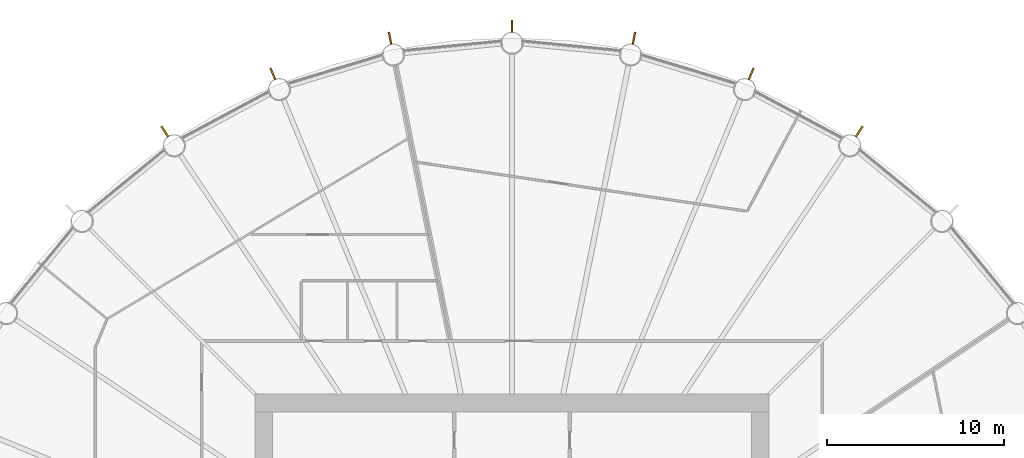
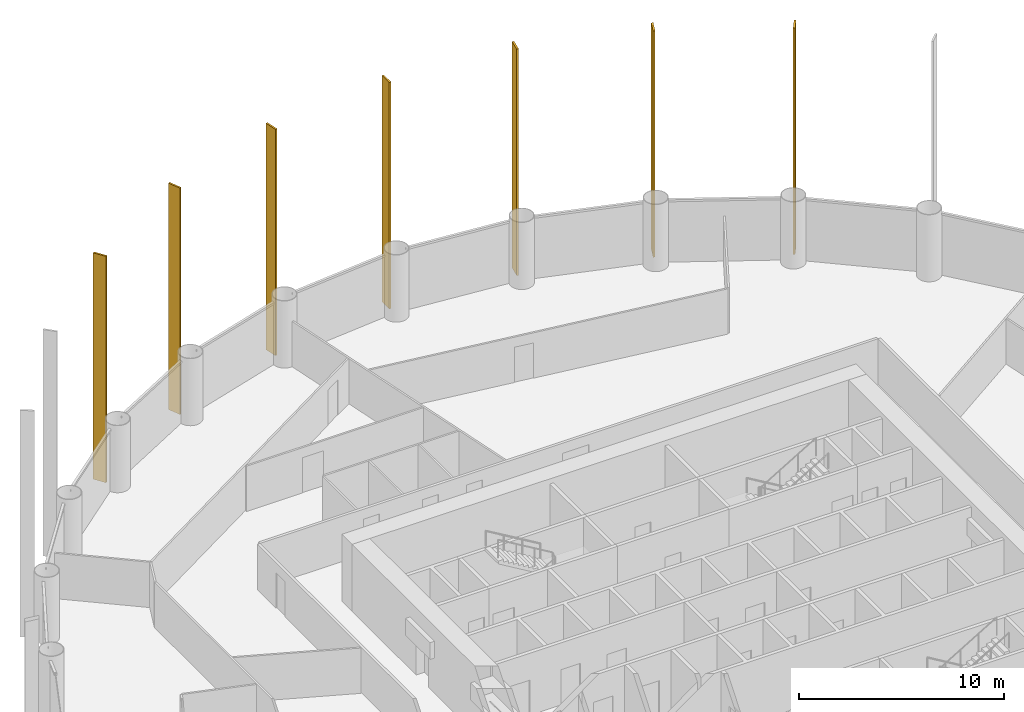
# One storey, part 10 of 10: 7 shading devices.
"""IFC4 building model written with IfcOpenShell, lengths in metres."""

from ifc_helpers import new_model, si_unit, direction, frame, origin, origin_2d, place, context, subcontext, project, spatial, rectangle, extrude, material, material_profile, profile_set, type_object, element, save


model = new_model("IFC4")

# Units and contexts
model_context = context("Model", 3, precision=1e-05, world=origin(), true_north=direction((0.0, 1.0)))
body_context = subcontext(model_context, "Body", "Model", "MODEL_VIEW")
ifc_project = project(units=[si_unit("LENGTHUNIT", "METRE"), si_unit("AREAUNIT", "SQUARE_METRE"), si_unit("VOLUMEUNIT", "CUBIC_METRE"), si_unit("PLANEANGLEUNIT", "RADIAN"), si_unit("MASSUNIT", "GRAM", prefix="KILO")], contexts=[model_context])

# Site, building, storey
site_placement = place(None, origin())
site = spatial("IfcSite", under=ifc_project, at=site_placement, CompositionType="ELEMENT")
building_placement = place(site_placement, origin())
building = spatial("IfcBuilding", under=site, at=building_placement, Name="Corvane Civic Tower", CompositionType="ELEMENT")
storey_placement = place(building_placement, frame((0.0, 0.0, 130.5)))
storey = spatial("IfcBuildingStorey", under=building, at=storey_placement, Name="L30", CompositionType="ELEMENT", Elevation=130.5)

# Shading devices
ifc_material = material(Name="Anodised aluminium bronze", Category="aluminium")
ifc_material_profile = material_profile(ifc_material, rectangle(XDim=0.10009765625, YDim=0.699951171875, at=origin_2d()), Name="TOWER FIN STACK 100x700 BRONZE")
ifc_profile_set = profile_set([ifc_material_profile], Name="Anodised aluminium bronze")
shading_device_type = type_object("IfcShadingDeviceType", Name="TOWER FIN STACK 100x700 BRONZE", PredefinedType="USERDEFINED", material=ifc_profile_set)
for number, where, z_axis, x_axis, name in (
    (1, (0.0, 35.2548828125, 0.0), (0.0, 0.0, 1.0), (1.0, 0.0, 0.0), "Fin 01 L30 to L32"),
    (2, (6.8779296875, 34.57763671875, 0.0), (0.0, 0.0, 1.0), (0.980785280403, -0.195090322016, 0.0), "Fin 02 L30 to L32"),
    (3, (13.491455078125, 32.5712890625, 0.0), (0.0, 0.0, 1.0), (0.923879532511, -0.382683432365, 0.0), "Fin 03 L30 to L32"),
    (4, (19.586669921875, 29.3134765625, 0.0), (0.0, 0.0, 1.0), (0.831469612303, -0.55557023302, 0.0), "Fin 04 L30 to L32"),
    (5, (-19.586669921875, 29.3134765625, 0.0), (0.0, 0.0, 1.0), (0.831469612303, 0.55557023302, 0.0), "Fin 30 L30 to L32"),
    (6, (-13.491455078125, 32.5712890625, 0.0), (0.0, 0.0, 1.0), (0.923879532511, 0.382683432365, 0.0), "Fin 31 L30 to L32"),
    (7, (-6.8779296875, 34.57763671875, 0.0), (0.0, 0.0, 1.0), (0.980785280403, 0.195090322016, 0.0), "Fin 32 L30 to L32"),
):
    element("IfcShadingDevice", number, at=place(storey_placement, frame(where, z_axis=z_axis, x_axis=x_axis)), inside=storey, type_object=shading_device_type, Name=name, ObjectType="FIN", PredefinedType="USERDEFINED", context=body_context, shape_type="SweptSolid", body=[
        extrude(rectangle(XDim=0.10009765625, YDim=0.699951171875, at=origin_2d()), origin(), (0.0, 0.0, 1.0), 13.5),
    ])

save(model, "model.ifc")
